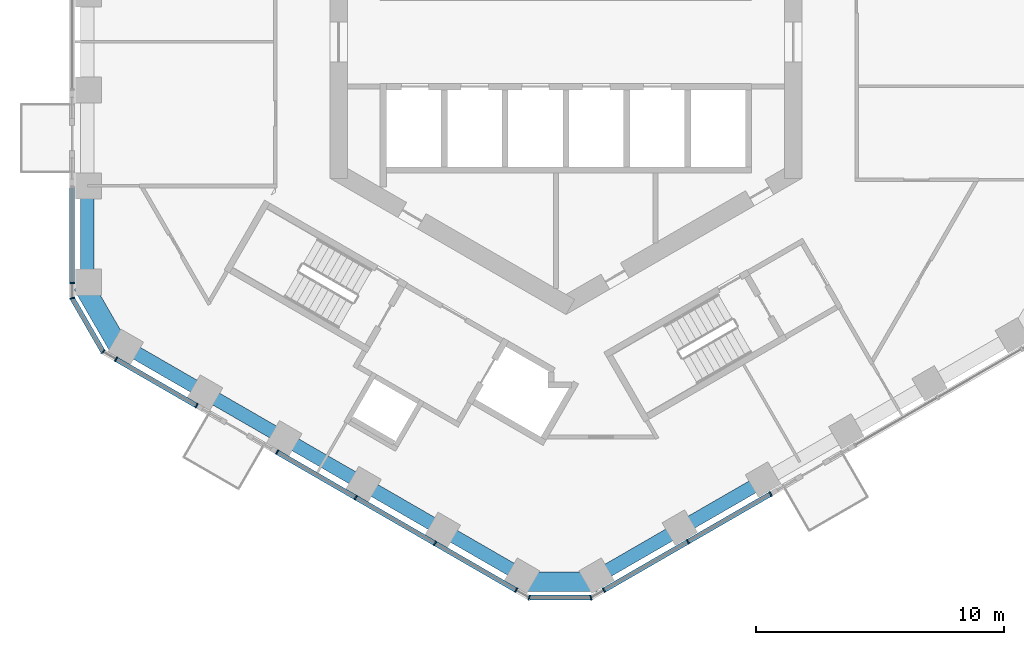
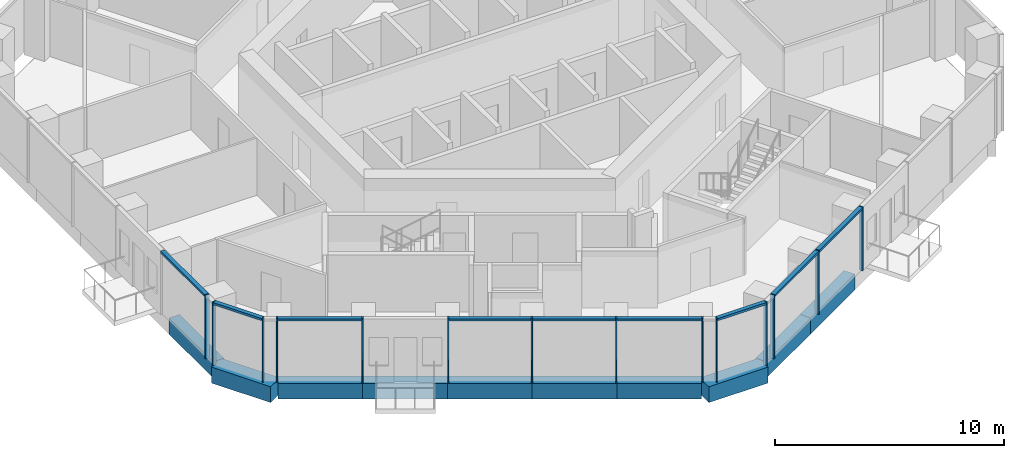
# One storey, part 2 of 20: 20 members, 10 beams, 6 elements without a shape of their own.
"""IFC4 building model written with IfcOpenShell, lengths in metres."""

import ifcopenshell
import ifcopenshell.guid

model = None  # the IFC model being written
_history = None  # IfcOwnerHistory: only IFC2X3 demands one
_inside = {}  # id of a spatial element -> (the spatial element, [elements in it])
_under = {}  # id of a project, library or spatial element -> (it, [spatial elements below it])
_declared = {}  # id of a project -> (the project, [libraries it declares])
_typed = {}  # id of a type object -> (the type object, [elements of that type])
_made_of = {}  # id of a material, layer set ... -> (it, [elements and type objects made of it])


def new_model(schema):
    """Start an empty IFC model of exactly this schema.

    Asked for "IFC4X3", IfcOpenShell would pick the latest addendum, in which some entities
    have other attributes; the version numbers below select the first issue.
    IFC2X3 requires an IfcOwnerHistory on every rooted entity: one is made here for all.
    """
    global model, _history
    if schema == "IFC4X3":
        model = ifcopenshell.file(schema_version=(4, 3, 0, 0))
    else:
        model = ifcopenshell.file(schema=schema)
    _inside.clear()
    _under.clear()
    _declared.clear()
    _typed.clear()
    _made_of.clear()
    _history = None
    if model.schema == "IFC2X3":
        org = make("IfcOrganization", Name="unknown")
        user = make(
            "IfcPersonAndOrganization",
            ThePerson=make("IfcPerson", FamilyName="unknown"),
            TheOrganization=org,
        )
        app = make(
            "IfcApplication",
            ApplicationDeveloper=org,
            Version="unknown",
            ApplicationFullName="unknown",
            ApplicationIdentifier="unknown",
        )
        _history = make(
            "IfcOwnerHistory",
            OwningUser=user,
            OwningApplication=app,
            ChangeAction="ADDED",
            CreationDate=0,
        )
    return model


def make(cls, **values):
    """One entity of the class cls with the attributes given. An attribute that is None is left unset."""
    return model.create_entity(
        cls, **{name: value for name, value in values.items() if value is not None}
    )


def rooted(cls, **values):
    """An entity with a GlobalId (a new one), such as an element, a storey or a relation."""
    return make(cls, GlobalId=ifcopenshell.guid.new(), OwnerHistory=_history, **values)


def si_unit(unit_type, name, prefix=None):
    """IfcSIUnit, for example si_unit("LENGTHUNIT", "METRE", prefix="MILLI")."""
    return make("IfcSIUnit", UnitType=unit_type, Prefix=prefix, Name=name)


def assignment(units):
    """IfcUnitAssignment: the units of a project."""
    return None if units is None else make("IfcUnitAssignment", Units=units)


def point(xyz):
    """IfcCartesianPoint."""
    return None if xyz is None else make("IfcCartesianPoint", Coordinates=xyz)


def direction(xyz):
    """IfcDirection."""
    return None if xyz is None else make("IfcDirection", DirectionRatios=xyz)


def frame(location, z_axis=None, x_axis=None):
    """IfcAxis2Placement3D, a coordinate frame: its origin and axes. An axis left out is left unset."""
    return make(
        "IfcAxis2Placement3D",
        Location=point(location),
        Axis=direction(z_axis),
        RefDirection=direction(x_axis),
    )


def frame_2d(location, x_axis=None):
    """IfcAxis2Placement2D, a coordinate frame in the plane: its origin and x axis."""
    return make(
        "IfcAxis2Placement2D", Location=point(location), RefDirection=direction(x_axis)
    )


def origin():
    """The frame at (0, 0, 0) with its axes left unset."""
    return frame((0.0, 0.0, 0.0))


def origin_2d():
    """The frame at (0, 0) in the plane with its x axis left unset."""
    return frame_2d((0.0, 0.0))


def place(relative_to, where):
    """IfcLocalPlacement: puts the frame where relative to a parent placement (None: the world)."""
    return make(
        "IfcLocalPlacement", PlacementRelTo=relative_to, RelativePlacement=where
    )


def context(
    kind, dimensions, precision=None, world=None, true_north=None, identifier=None
):
    """IfcGeometricRepresentationContext, for example the 3D "Model" context."""
    return make(
        "IfcGeometricRepresentationContext",
        ContextIdentifier=identifier,
        ContextType=kind,
        CoordinateSpaceDimension=dimensions,
        Precision=precision,
        WorldCoordinateSystem=world,
        TrueNorth=true_north,
    )


def subcontext(parent, identifier, kind, view, scale=None):
    """IfcGeometricRepresentationSubContext, for example "Body" below "Model"."""
    return make(
        "IfcGeometricRepresentationSubContext",
        ContextIdentifier=identifier,
        ContextType=kind,
        ParentContext=parent,
        TargetScale=scale,
        TargetView=view,
    )


def project(units=None, contexts=None):
    """IfcProject with its units and contexts."""
    return rooted(
        "IfcProject",
        Name="project",
        RepresentationContexts=contexts,
        UnitsInContext=assignment(units),
    )


def spatial(cls, under=None, at=None, **own):
    """A site, building, storey or space (cls), placed at a placement, below another one or the project."""
    s = rooted(cls, ObjectPlacement=at, **own)
    if under is not None:
        _under.setdefault(under.id(), (under, []))[1].append(s)
    return s


def profile(cls, at=None, kind="AREA", **sizes):
    """A parametric profile (cls). Its sizes go by their IFC names, for example OverallWidth=200.0."""
    return make(cls, ProfileType=kind, Position=at, **sizes)


def rectangle(**sizes):
    """IfcRectangleProfileDef."""
    return profile("IfcRectangleProfileDef", **sizes)


def extrude(swept, where, along, depth):
    """IfcExtrudedAreaSolid: the profile swept, set in the frame where, extruded along a direction by depth."""
    return make(
        "IfcExtrudedAreaSolid",
        SweptArea=swept,
        Position=where,
        ExtrudedDirection=direction(along),
        Depth=depth,
    )


def shape(context_of_items, identifier, shape_type, items):
    """IfcShapeRepresentation: the items that make up one representation, for example the "Body"."""
    return make(
        "IfcShapeRepresentation",
        ContextOfItems=context_of_items,
        RepresentationIdentifier=identifier,
        RepresentationType=shape_type,
        Items=items,
    )


def material(Name=None, Category=None):
    """IfcMaterial."""
    return make("IfcMaterial", Name=Name, Category=Category)


def layer(
    of_material, thickness, ventilated=None, Name=None, Category=None, Priority=None
):
    """IfcMaterialLayer: one layer of a wall or slab, of a material (None: an air gap)."""
    return make(
        "IfcMaterialLayer",
        Material=of_material,
        LayerThickness=thickness,
        IsVentilated=ventilated,
        Name=Name,
        Category=Category,
        Priority=Priority,
    )


def layer_set(layers, Name=None):
    """IfcMaterialLayerSet."""
    return make("IfcMaterialLayerSet", MaterialLayers=layers, LayerSetName=Name)


def material_profile(
    of_material, cross_section, Name=None, Category=None, Priority=None
):
    """IfcMaterialProfile: a cross section and its material."""
    return make(
        "IfcMaterialProfile",
        Name=Name,
        Material=of_material,
        Profile=cross_section,
        Priority=Priority,
        Category=Category,
    )


def profile_set(profiles, Name=None, composite=None):
    """IfcMaterialProfileSet."""
    return make(
        "IfcMaterialProfileSet",
        Name=Name,
        MaterialProfiles=profiles,
        CompositeProfile=composite,
    )


def made_of(thing, what):
    """Note that an element or type object is made of a material, layer set ...; save() writes the relation."""
    if what is not None:
        _made_of.setdefault(what.id(), (what, []))[1].append(thing)
    return thing


def type_object(cls, material=None, **own):
    """A type object (cls), such as IfcWallType, which elements share."""
    return made_of(rooted(cls, **own), material)


def element(
    cls,
    number,
    at=None,
    inside=None,
    cuts=None,
    type_object=None,
    material=None,
    context=None,
    identifier="Body",
    shape_type=None,
    held_by="IfcProductDefinitionShape",
    body=None,
    shapes=None,
    **own,
):
    """One element of the class cls, such as IfcWall. Its Tag is "e" and its number.

    at: its placement. inside: the storey or other place that contains it. cuts: it is an
    opening in that element (IfcRelVoidsElement). A single representation is given by context,
    identifier, shape_type and body (its items); several are given by shapes. held_by: the class
    of the entity that holds the representations. save() writes the other relations.
    """
    e = rooted(cls, Tag="e%d" % number, ObjectPlacement=at, **own)
    if body is not None:
        shapes = [shape(context, identifier, shape_type, body)]
    if shapes is not None:
        e.Representation = make(held_by, Representations=shapes)
    if inside is not None:
        _inside.setdefault(inside.id(), (inside, []))[1].append(e)
    if cuts is not None:
        rooted(
            "IfcRelVoidsElement", RelatingBuildingElement=cuts, RelatedOpeningElement=e
        )
    if type_object is not None:
        _typed.setdefault(type_object.id(), (type_object, []))[1].append(e)
    return made_of(e, material)


def aggregate(whole, parts):
    """IfcRelAggregates: a whole, such as a stair, and the parts it consists of."""
    return rooted("IfcRelAggregates", RelatingObject=whole, RelatedObjects=parts)


def save(model, path):
    """Write the relations noted so far, then the file.

    IfcRelAggregates (storeys below a building ...), IfcRelContainedInSpatialStructure (elements
    in a storey), IfcRelDefinesByType, IfcRelAssociatesMaterial and IfcRelDeclares: one each for
    every whole, place, type object, material and project.
    """
    for whole, parts in _under.values():
        aggregate(whole, parts)
    for where, things in _inside.values():
        rooted(
            "IfcRelContainedInSpatialStructure",
            RelatedElements=things,
            RelatingStructure=where,
        )
    for kind, things in _typed.values():
        rooted("IfcRelDefinesByType", RelatedObjects=things, RelatingType=kind)
    for what, things in _made_of.values():
        rooted("IfcRelAssociatesMaterial", RelatedObjects=things, RelatingMaterial=what)
    for by, libraries in _declared.values():
        rooted("IfcRelDeclares", RelatingContext=by, RelatedDefinitions=libraries)
    model.write(path)


model = new_model("IFC4")

# Units and contexts
model_context = context("Model", 3, precision=1e-05, world=origin(), true_north=direction((0.0, 1.0)))
body_context = subcontext(model_context, "Body", "Model", "MODEL_VIEW")
ifc_project = project(units=[si_unit("LENGTHUNIT", "METRE"), si_unit("AREAUNIT", "SQUARE_METRE"), si_unit("VOLUMEUNIT", "CUBIC_METRE"), si_unit("PLANEANGLEUNIT", "RADIAN"), si_unit("MASSUNIT", "GRAM", prefix="KILO")], contexts=[model_context])

# Site, building, storey
site_placement = place(None, origin())
site = spatial("IfcSite", under=ifc_project, at=site_placement, CompositionType="ELEMENT")
building_placement = place(site_placement, origin())
building = spatial("IfcBuilding", under=site, at=building_placement, Name="Ayvan Gate Tower", CompositionType="ELEMENT")
storey_placement = place(building_placement, frame((0.0, 0.0, 96.699951171875)))
storey = spatial("IfcBuildingStorey", under=building, at=storey_placement, Name="L25", CompositionType="ELEMENT", Elevation=96.699951171875)

# Beams
ifc_material_1 = material(Name="Concrete C40/50", Category="concrete")
ifc_material_profile_1 = material_profile(ifc_material_1, rectangle(XDim=0.800048828125, YDim=0.85009765625, at=origin_2d()), Name="RC 800x850")
ifc_profile_set_1 = profile_set([ifc_material_profile_1], Name="Concrete C40/50")
beam_type_1 = type_object("IfcBeamType", Name="Corner spandrel beam RC 800x850 C40/50", PredefinedType="BEAM", material=ifc_profile_set_1)
for number, where, z_axis, x_axis, name in (
    (1, (-19.4521484375, -9.757080078125, -0.77490234375), (0.499990139034, -0.866031096941, 0.0), (0.866031096941, 0.499990139034, 0.0), "SB-L25-24"),
    (2, (-1.723876953125, -21.724609375, -0.77490234375), (1.0, 0.0, 0.0), (0.0, 1.0, 0.0), "SB-L25-30"),
):
    element("IfcBeam", number, at=place(storey_placement, frame(where, z_axis=z_axis, x_axis=x_axis)), inside=storey, type_object=beam_type_1, Name=name, PredefinedType="BEAM", context=body_context, shape_type="SweptSolid", body=[
        extrude(rectangle(XDim=0.800048828125, YDim=0.85009765625, at=origin_2d()), origin(), (0.0, 0.0, 1.0), 3.0),
    ])
ifc_material_profile_2 = material_profile(ifc_material_1, rectangle(XDim=0.550048828125, YDim=0.85009765625, at=origin_2d()), Name="RC 550x850")
ifc_profile_set_2 = profile_set([ifc_material_profile_2], Name="Concrete C40/50")
beam_type_2 = type_object("IfcBeamType", Name="Spandrel beam RC 550x850 C40/50", PredefinedType="BEAM", material=ifc_profile_set_2)
beam_1_placement = place(storey_placement, frame((-19.26171875, -5.788330078125, -0.77490234375), z_axis=(0.0, -1.0, 0.0), x_axis=(1.0, 0.0, 0.0)))
element("IfcBeam", 3, at=beam_1_placement, inside=storey, type_object=beam_type_2, Name="SB-L25-23", PredefinedType="BEAM", context=body_context, shape_type="SweptSolid", body=[
    extrude(rectangle(XDim=0.550048828125, YDim=0.85009765625, at=origin_2d()), origin(), (0.0, 0.0, 1.0), 3.85888671875),
])
for number, where, z_axis, x_axis, name in (
    (4, (-17.76171875, -12.245361328125, -0.77490234375), (0.866031906936, -0.499988736041, 0.0), (0.499988736041, 0.866031906936, 0.0), "SB-L25-25"),
    (5, (-14.55419921875, -14.09716796875, -0.77490234375), (0.866031906936, -0.499988736041, 0.0), (0.499988736041, 0.866031906936, 0.0), "SB-L25-26"),
):
    element("IfcBeam", number, at=place(storey_placement, frame(where, z_axis=z_axis, x_axis=x_axis)), inside=storey, type_object=beam_type_2, Name=name, PredefinedType="BEAM", context=body_context, shape_type="SweptSolid", body=[
        extrude(rectangle(XDim=0.550048828125, YDim=0.85009765625, at=origin_2d()), origin(), (0.0, 0.0, 1.0), 3.70361328125),
    ])
beam_2_placement = place(storey_placement, frame((-11.3466796875, -15.948974609375, -0.77490234375), z_axis=(0.866019843608, -0.500009630384, 0.0), x_axis=(0.500009630384, 0.866019843608, 0.0)))
element("IfcBeam", 6, at=beam_2_placement, inside=storey, type_object=beam_type_2, Name="SB-L25-27", PredefinedType="BEAM", context=body_context, shape_type="SweptSolid", body=[
    extrude(rectangle(XDim=0.550048828125, YDim=0.85009765625, at=origin_2d()), origin(), (0.0, 0.0, 1.0), 3.7041015625),
])
for number, where, z_axis, x_axis, name in (
    (7, (-8.138916015625, -17.801025390625, -0.77490234375), (0.866031906936, -0.499988736041, 0.0), (0.499988736041, 0.866031906936, 0.0), "SB-L25-28"),
    (8, (-4.931396484375, -19.65283203125, -0.77490234375), (0.866031906936, -0.499988736041, 0.0), (0.499988736041, 0.866031906936, 0.0), "SB-L25-29"),
):
    element("IfcBeam", number, at=place(storey_placement, frame(where, z_axis=z_axis, x_axis=x_axis)), inside=storey, type_object=beam_type_2, Name=name, PredefinedType="BEAM", context=body_context, shape_type="SweptSolid", body=[
        extrude(rectangle(XDim=0.550048828125, YDim=0.85009765625, at=origin_2d()), origin(), (0.0, 0.0, 1.0), 3.70361328125),
    ])
beam_3_placement = place(storey_placement, frame((1.276123046875, -21.504638671875, -0.77490234375), z_axis=(0.8660191159, 0.500010890777, 0.0), x_axis=(-0.500010890777, 0.8660191159, 0.0)))
element("IfcBeam", 9, at=beam_3_placement, inside=storey, type_object=beam_type_2, Name="SB-L25-31", PredefinedType="BEAM", context=body_context, shape_type="SweptSolid", body=[
    extrude(rectangle(XDim=0.550048828125, YDim=0.85009765625, at=origin_2d()), origin(), (0.0, 0.0, 1.0), 3.85888671875),
])
beam_4_placement = place(storey_placement, frame((4.617919921875, -19.5751953125, -0.77490234375), z_axis=(0.866034932412, 0.49998349557, 0.0), x_axis=(-0.49998349557, 0.866034932412, 0.0)))
element("IfcBeam", 10, at=beam_4_placement, inside=storey, type_object=beam_type_2, Name="SB-L25-32", PredefinedType="BEAM", context=body_context, shape_type="SweptSolid", body=[
    extrude(rectangle(XDim=0.550048828125, YDim=0.85009765625, at=origin_2d()), origin(), (0.0, 0.0, 1.0), 3.859130859375),
])

# Curtain wall, member
ifc_material_2 = material(Name="Bronze anodised aluminium", Category="aluminium")
ifc_layer_1 = layer(ifc_material_2, 0.199951171875)
ifc_layer_set_1 = layer_set([ifc_layer_1], Name="Bronze anodised aluminium")
curtain_wall_type_1 = type_object("IfcCurtainWallType", Name="Stick curtain wall CW-1", PredefinedType="NOTDEFINED", material=ifc_layer_set_1)
curtain_wall_1_placement = place(storey_placement, origin())
curtain_wall_1 = element("IfcCurtainWall", 11, at=curtain_wall_1_placement, inside=storey, type_object=curtain_wall_type_1, Name="Stick curtain wall CW-1 L25", PredefinedType="NOTDEFINED")
ifc_material_profile_3 = material_profile(ifc_material_2, rectangle(XDim=0.199951171875, YDim=0.06005859375, at=origin_2d()), Name="Stick curtain wall CW-1 mullion 200 x 60")
ifc_profile_set_3 = profile_set([ifc_material_profile_3], Name="Bronze anodised aluminium")
member_type_1 = type_object("IfcMemberType", Name="Stick curtain wall CW-1 mullion 200 x 60", PredefinedType="MULLION", material=ifc_profile_set_3)
member_1_placement = place(storey_placement, frame((-19.873291015625, -9.707275390625, 0.0), z_axis=(0.0, 0.0, 1.0), x_axis=(-1.0, 0.0, 0.0)))
member_1 = element("IfcMember", 12, at=member_1_placement, type_object=member_type_1, Name="CW-1 mullion 2", PredefinedType="MULLION", context=body_context, shape_type="SweptSolid", body=[
    extrude(rectangle(XDim=0.199951171875, YDim=0.06005859375, at=origin_2d()), origin(), (0.0, 0.0, 1.0), 3.400146484375),
])

# Curtain wall, members
curtain_wall_2_placement = place(storey_placement, origin())
curtain_wall_2 = element("IfcCurtainWall", 13, at=curtain_wall_2_placement, inside=storey, type_object=curtain_wall_type_1, Name="Stick curtain wall CW-1 L25", PredefinedType="NOTDEFINED")
member_2_placement = place(storey_placement, frame((-18.10595703125, -12.768310546875, 0.0), z_axis=(0.0, 0.0, 1.0), x_axis=(-0.5, -0.866025403784, 0.0)))
member_2 = element("IfcMember", 14, at=member_2_placement, type_object=member_type_1, Name="CW-1 mullion 1", PredefinedType="MULLION", context=body_context, shape_type="SweptSolid", body=[
    extrude(rectangle(XDim=0.199951171875, YDim=0.06005859375, at=origin_2d()), origin(), (0.0, 0.0, 1.0), 3.400146484375),
])
member_3_placement = place(storey_placement, frame((-14.866943359375, -14.63818359375, 0.0), z_axis=(0.0, 0.0, 1.0), x_axis=(-0.5, -0.866025403784, 0.0)))
member_3 = element("IfcMember", 15, at=member_3_placement, type_object=member_type_1, Name="CW-1 mullion 2", PredefinedType="MULLION", context=body_context, shape_type="SweptSolid", body=[
    extrude(rectangle(XDim=0.199951171875, YDim=0.06005859375, at=origin_2d()), origin(), (0.0, 0.0, 1.0), 3.400146484375),
])

curtain_wall_3_placement = place(storey_placement, origin())
curtain_wall_3 = element("IfcCurtainWall", 16, at=curtain_wall_3_placement, inside=storey, type_object=curtain_wall_type_1, Name="Stick curtain wall CW-1 L25", PredefinedType="NOTDEFINED")
member_4_placement = place(storey_placement, frame((-11.62451171875, -16.51025390625, 0.0), z_axis=(0.0, 0.0, 1.0), x_axis=(-0.5, -0.866025403784, 0.0)))
member_4 = element("IfcMember", 17, at=member_4_placement, type_object=member_type_1, Name="CW-1 mullion 1", PredefinedType="MULLION", context=body_context, shape_type="SweptSolid", body=[
    extrude(rectangle(XDim=0.199951171875, YDim=0.06005859375, at=origin_2d()), origin(), (0.0, 0.0, 1.0), 3.400146484375),
])
member_5_placement = place(storey_placement, frame((-8.460205078125, -18.337158203125, 0.0), z_axis=(0.0, 0.0, 1.0), x_axis=(-0.5, -0.866025403784, 0.0)))
member_5 = element("IfcMember", 18, at=member_5_placement, type_object=member_type_1, Name="CW-1 mullion 2", PredefinedType="MULLION", context=body_context, shape_type="SweptSolid", body=[
    extrude(rectangle(XDim=0.199951171875, YDim=0.06005859375, at=origin_2d()), origin(), (0.0, 0.0, 1.0), 3.400146484375),
])
member_6_placement = place(storey_placement, frame((-5.269775390625, -20.17919921875, 0.0), z_axis=(0.0, 0.0, 1.0), x_axis=(-0.5, -0.866025403784, 0.0)))
member_6 = element("IfcMember", 19, at=member_6_placement, type_object=member_type_1, Name="CW-1 mullion 3", PredefinedType="MULLION", context=body_context, shape_type="SweptSolid", body=[
    extrude(rectangle(XDim=0.199951171875, YDim=0.06005859375, at=origin_2d()), origin(), (0.0, 0.0, 1.0), 3.400146484375),
])
member_7_placement = place(storey_placement, frame((-2.004638671875, -22.064208984375, 0.0), z_axis=(0.0, 0.0, 1.0), x_axis=(-0.5, -0.866025403784, 0.0)))
member_7 = element("IfcMember", 20, at=member_7_placement, type_object=member_type_1, Name="CW-1 mullion 4", PredefinedType="MULLION", context=body_context, shape_type="SweptSolid", body=[
    extrude(rectangle(XDim=0.199951171875, YDim=0.06005859375, at=origin_2d()), origin(), (0.0, 0.0, 1.0), 3.400146484375),
])

curtain_wall_4_placement = place(storey_placement, origin())
curtain_wall_4 = element("IfcCurtainWall", 21, at=curtain_wall_4_placement, inside=storey, type_object=curtain_wall_type_1, Name="Stick curtain wall CW-1 L25", PredefinedType="NOTDEFINED")
member_8_placement = place(storey_placement, frame((1.52978515625, -22.064208984375, 0.0), z_axis=(0.0, 0.0, 1.0), x_axis=(0.5, -0.866025403784, 0.0)))
member_8 = element("IfcMember", 22, at=member_8_placement, type_object=member_type_1, Name="CW-1 mullion 1", PredefinedType="MULLION", context=body_context, shape_type="SweptSolid", body=[
    extrude(rectangle(XDim=0.199951171875, YDim=0.06005859375, at=origin_2d()), origin(), (0.0, 0.0, 1.0), 3.400146484375),
])
member_9_placement = place(storey_placement, frame((4.910888671875, -20.1123046875, 0.0), z_axis=(0.0, 0.0, 1.0), x_axis=(0.5, -0.866025403784, 0.0)))
member_9 = element("IfcMember", 23, at=member_9_placement, type_object=member_type_1, Name="CW-1 mullion 2", PredefinedType="MULLION", context=body_context, shape_type="SweptSolid", body=[
    extrude(rectangle(XDim=0.199951171875, YDim=0.06005859375, at=origin_2d()), origin(), (0.0, 0.0, 1.0), 3.400146484375),
])
member_10_placement = place(storey_placement, frame((8.2353515625, -18.19287109375, 0.0), z_axis=(0.0, 0.0, 1.0), x_axis=(0.5, -0.866025403784, 0.0)))
member_10 = element("IfcMember", 24, at=member_10_placement, type_object=member_type_1, Name="CW-1 mullion 3", PredefinedType="MULLION", context=body_context, shape_type="SweptSolid", body=[
    extrude(rectangle(XDim=0.199951171875, YDim=0.06005859375, at=origin_2d()), origin(), (0.0, 0.0, 1.0), 3.400146484375),
])

# Member
ifc_material_profile_4 = material_profile(ifc_material_2, rectangle(XDim=0.199951171875, YDim=0.1201171875, at=origin_2d()), Name="Stick curtain wall CW-1 transom 200 x 120")
ifc_profile_set_4 = profile_set([ifc_material_profile_4], Name="Bronze anodised aluminium")
member_type_2 = type_object("IfcMemberType", Name="Stick curtain wall CW-1 transom 200 x 120", PredefinedType="USERDEFINED", material=ifc_profile_set_4)
member_11_placement = place(storey_placement, frame((-19.873291015625, -5.833740234375, 3.340087890625), z_axis=(0.0, -1.0, 0.0), x_axis=(1.0, 0.0, 0.0)))
member_11 = element("IfcMember", 25, at=member_11_placement, type_object=member_type_2, Name="CW-1 transom 1", ObjectType="TRANSOM", PredefinedType="USERDEFINED", context=body_context, shape_type="SweptSolid", body=[
    extrude(rectangle(XDim=0.199951171875, YDim=0.1201171875, at=origin_2d()), origin(), (0.0, 0.0, 1.0), 3.87353515625),
])

aggregate(curtain_wall_1, [member_1, member_11])

member_12_placement = place(storey_placement, frame((-18.10595703125, -12.768310546875, 3.340087890625), z_axis=(0.866045359686, -0.499965433771, 0.0), x_axis=(0.499965433771, 0.866045359686, 0.0)))
member_12 = element("IfcMember", 26, at=member_12_placement, type_object=member_type_2, Name="CW-1 transom 1", ObjectType="TRANSOM", PredefinedType="USERDEFINED", context=body_context, shape_type="SweptSolid", body=[
    extrude(rectangle(XDim=0.199951171875, YDim=0.1201171875, at=origin_2d()), origin(), (0.0, 0.0, 1.0), 3.739990234375),
])

aggregate(curtain_wall_2, [member_2, member_3, member_12])

member_13_placement = place(storey_placement, frame((-11.62451171875, -16.51025390625, 3.340087890625), z_axis=(0.866028569688, -0.499994516454, 0.0), x_axis=(0.499994516454, 0.866028569688, 0.0)))
member_13 = element("IfcMember", 27, at=member_13_placement, type_object=member_type_2, Name="CW-1 transom 1", ObjectType="TRANSOM", PredefinedType="USERDEFINED", context=body_context, shape_type="SweptSolid", body=[
    extrude(rectangle(XDim=0.199951171875, YDim=0.1201171875, at=origin_2d()), origin(), (0.0, 0.0, 1.0), 11.10791015625),
])

aggregate(curtain_wall_3, [member_4, member_5, member_6, member_7, member_13])

member_14_placement = place(storey_placement, frame((1.52978515625, -22.064208984375, 3.340087890625), z_axis=(0.866032264424, 0.499988116835, 0.0), x_axis=(-0.499988116835, 0.866032264424, 0.0)))
member_14 = element("IfcMember", 28, at=member_14_placement, type_object=member_type_2, Name="CW-1 transom 1", ObjectType="TRANSOM", PredefinedType="USERDEFINED", context=body_context, shape_type="SweptSolid", body=[
    extrude(rectangle(XDim=0.199951171875, YDim=0.1201171875, at=origin_2d()), origin(), (0.0, 0.0, 1.0), 7.742919921875),
])

aggregate(curtain_wall_4, [member_8, member_9, member_10, member_14])

# Curtain wall, members
ifc_layer_2 = layer(ifc_material_2, 0.199951171875)
ifc_layer_set_2 = layer_set([ifc_layer_2], Name="Bronze anodised aluminium")
curtain_wall_type_2 = type_object("IfcCurtainWallType", Name="Stick curtain wall CW-6", PredefinedType="NOTDEFINED", material=ifc_layer_set_2)
curtain_wall_5_placement = place(storey_placement, origin())
curtain_wall_5 = element("IfcCurtainWall", 29, at=curtain_wall_5_placement, inside=storey, type_object=curtain_wall_type_2, Name="Stick curtain wall CW-6 L25", PredefinedType="NOTDEFINED")
ifc_material_profile_5 = material_profile(ifc_material_2, rectangle(XDim=0.199951171875, YDim=0.050048828125, at=origin_2d()), Name="Stick curtain wall CW-6 mullion 200 x 50")
ifc_profile_set_5 = profile_set([ifc_material_profile_5], Name="Bronze anodised aluminium")
member_type_3 = type_object("IfcMemberType", Name="Stick curtain wall CW-6 mullion 200 x 50", PredefinedType="MULLION", material=ifc_profile_set_5)
member_15_placement = place(storey_placement, frame((-19.873291015625, -10.312255859375, 0.0), z_axis=(0.0, 0.0, 1.0), x_axis=(-0.965925826289, -0.258819045103, 0.0)))
member_15 = element("IfcMember", 30, at=member_15_placement, type_object=member_type_3, Name="CW-6 mullion 2", PredefinedType="MULLION", context=body_context, shape_type="SweptSolid", body=[
    extrude(rectangle(XDim=0.199951171875, YDim=0.050048828125, at=origin_2d()), origin(), (0.0, 0.0, 1.0), 3.400146484375),
])
member_16_placement = place(storey_placement, frame((-18.6298828125, -12.4658203125, 0.0), z_axis=(0.0, 0.0, 1.0), x_axis=(-0.707106781187, -0.707106781187, 0.0)))
member_16 = element("IfcMember", 31, at=member_16_placement, type_object=member_type_3, Name="CW-6 mullion 3", PredefinedType="MULLION", context=body_context, shape_type="SweptSolid", body=[
    extrude(rectangle(XDim=0.199951171875, YDim=0.050048828125, at=origin_2d()), origin(), (0.0, 0.0, 1.0), 3.400146484375),
])

curtain_wall_6_placement = place(storey_placement, origin())
curtain_wall_6 = element("IfcCurtainWall", 32, at=curtain_wall_6_placement, inside=storey, type_object=curtain_wall_type_2, Name="Stick curtain wall CW-6 L25", PredefinedType="NOTDEFINED")
member_17_placement = place(storey_placement, frame((-1.480712890625, -22.366943359375, 0.0), z_axis=(0.0, 0.0, 1.0), x_axis=(-0.258819045103, -0.965925826289, 0.0)))
member_17 = element("IfcMember", 33, at=member_17_placement, type_object=member_type_3, Name="CW-6 mullion 2", PredefinedType="MULLION", context=body_context, shape_type="SweptSolid", body=[
    extrude(rectangle(XDim=0.199951171875, YDim=0.050048828125, at=origin_2d()), origin(), (0.0, 0.0, 1.0), 3.400146484375),
])
member_18_placement = place(storey_placement, frame((1.005859375, -22.366943359375, 0.0), z_axis=(0.0, 0.0, 1.0), x_axis=(0.258819045103, -0.965925826289, 0.0)))
member_18 = element("IfcMember", 34, at=member_18_placement, type_object=member_type_3, Name="CW-6 mullion 3", PredefinedType="MULLION", context=body_context, shape_type="SweptSolid", body=[
    extrude(rectangle(XDim=0.199951171875, YDim=0.050048828125, at=origin_2d()), origin(), (0.0, 0.0, 1.0), 3.400146484375),
])

# Member
ifc_material_profile_6 = material_profile(ifc_material_2, rectangle(XDim=0.199951171875, YDim=0.1201171875, at=origin_2d()), Name="Stick curtain wall CW-6 transom 200 x 120")
ifc_profile_set_6 = profile_set([ifc_material_profile_6], Name="Bronze anodised aluminium")
member_type_4 = type_object("IfcMemberType", Name="Stick curtain wall CW-6 transom 200 x 120", PredefinedType="USERDEFINED", material=ifc_profile_set_6)
member_19_placement = place(storey_placement, frame((-19.860595703125, -10.333984375, 3.340087890625), z_axis=(0.499997116, -0.866027068856, 0.0), x_axis=(0.866027068856, 0.499997116, 0.0)))
member_19 = element("IfcMember", 35, at=member_19_placement, type_object=member_type_4, Name="CW-6 transom 2", ObjectType="TRANSOM", PredefinedType="USERDEFINED", context=body_context, shape_type="SweptSolid", body=[
    extrude(rectangle(XDim=0.199951171875, YDim=0.1201171875, at=origin_2d()), origin(), (0.0, 0.0, 1.0), 2.4365234375),
])

aggregate(curtain_wall_5, [member_15, member_16, member_19])

member_20_placement = place(storey_placement, frame((-1.45556640625, -22.366943359375, 3.340087890625), z_axis=(1.0, 0.0, 0.0), x_axis=(0.0, 1.0, 0.0)))
member_20 = element("IfcMember", 36, at=member_20_placement, type_object=member_type_4, Name="CW-6 transom 2", ObjectType="TRANSOM", PredefinedType="USERDEFINED", context=body_context, shape_type="SweptSolid", body=[
    extrude(rectangle(XDim=0.199951171875, YDim=0.1201171875, at=origin_2d()), origin(), (0.0, 0.0, 1.0), 2.4365234375),
])

aggregate(curtain_wall_6, [member_17, member_18, member_20])

save(model, "model.ifc")
